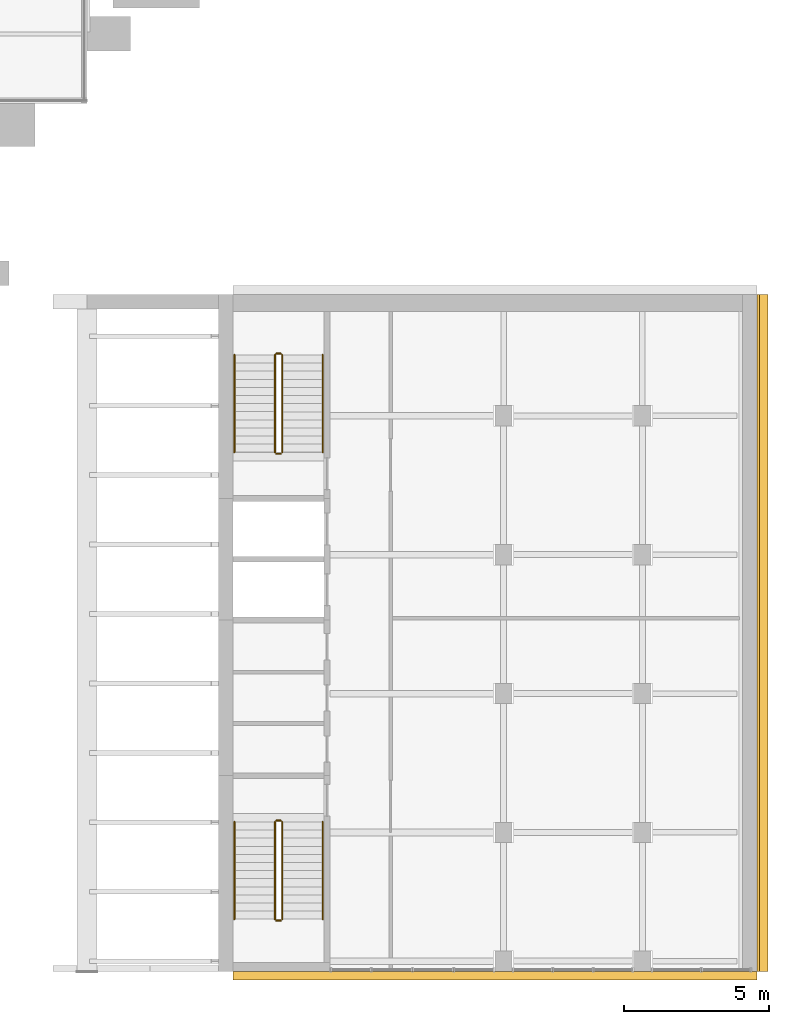
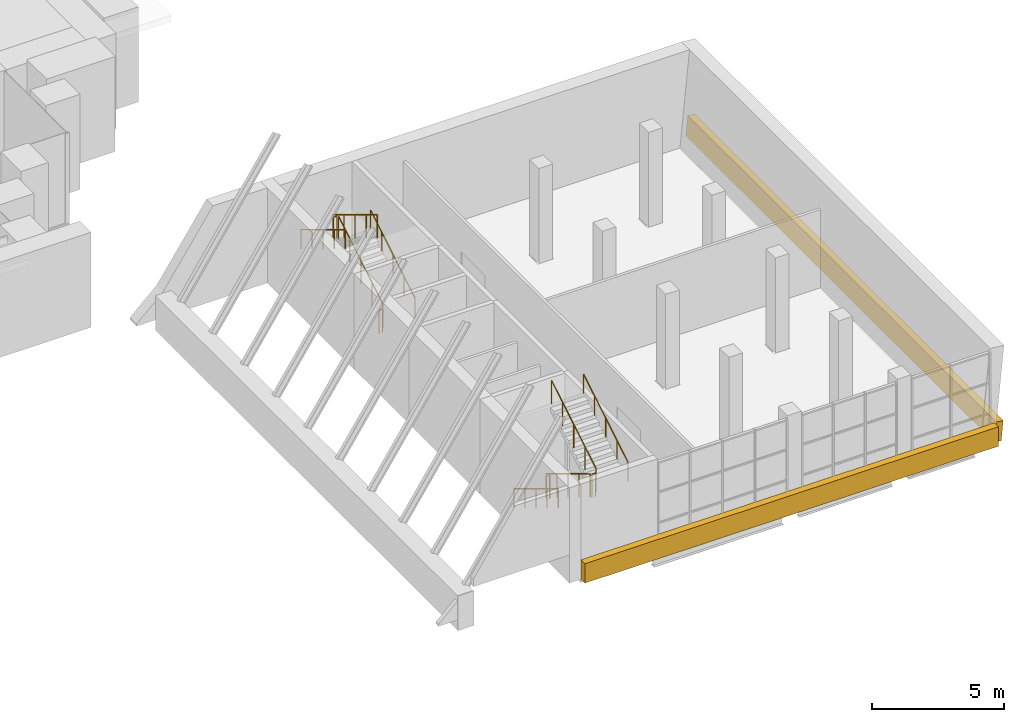
# One storey, part 31 of 32: 12 railings, 2 coverings.
"""IFC4 building model written with IfcOpenShell, lengths in metres."""

from ifc_helpers import new_model, si_unit, direction, frame, origin, origin_2d, place, context, subcontext, project, spatial, polyline, circle, outline, extrude, material, layer, layer_set, type_object, element, save


model = new_model("IFC4")

# Units and contexts
model_context = context("Model", 3, precision=1e-05, world=origin(), true_north=direction((0.0, 1.0)))
body_context = subcontext(model_context, "Body", "Model", "MODEL_VIEW")
ifc_project = project(units=[si_unit("LENGTHUNIT", "METRE"), si_unit("AREAUNIT", "SQUARE_METRE"), si_unit("VOLUMEUNIT", "CUBIC_METRE"), si_unit("PLANEANGLEUNIT", "RADIAN"), si_unit("MASSUNIT", "GRAM", prefix="KILO")], contexts=[model_context])

# Site, building, storey
site_placement = place(None, origin())
site = spatial("IfcSite", under=ifc_project, at=site_placement, CompositionType="ELEMENT")
building_placement = place(site_placement, origin())
building = spatial("IfcBuilding", under=site, at=building_placement, Name="Baori Bourse Tower", CompositionType="ELEMENT")
storey_placement = place(building_placement, frame((0.0, 0.0, 21.39990234375)))
storey = spatial("IfcBuildingStorey", under=building, at=storey_placement, Name="L03", CompositionType="ELEMENT", Elevation=21.39990234375)

# Coverings
ifc_material_1 = material(Name="Pale anodised aluminium", Category="aluminium")
ifc_layer = layer(ifc_material_1, 0.300048828125)
ifc_layer_set = layer_set([ifc_layer], Name="Pale metal band 900x300")
covering_type = type_object("IfcCoveringType", Name="Pale metal band 900x300", PredefinedType="CLADDING", material=ifc_layer_set)
covering_1_placement = place(storey_placement, origin())
element("IfcCovering", 1, at=covering_1_placement, inside=storey, type_object=covering_type, Name="BAND", PredefinedType="CLADDING", context=body_context, shape_type="SweptSolid", body=[
    extrude(outline(polyline([(75.95263671875, -25.199951171875), (57.85009765625, -25.199951171875), (57.85009765625, -25.5), (75.95263671875, -25.5), (75.95263671875, -25.199951171875)])), origin(), (0.0, 0.0, 1.0), 0.900146484375),
])
covering_2_placement = place(storey_placement, frame((75.95263671875, -25.199951171875, 0.0), z_axis=(-0.995396654785, 0.0, 0.095841012327), x_axis=(0.0, 1.0, 0.0)))
element("IfcCovering", 2, at=covering_2_placement, inside=storey, type_object=covering_type, Name="BAND", PredefinedType="CLADDING", context=body_context, shape_type="SweptSolid", body=[
    extrude(outline(polyline([(0.0, 0.0), (23.39990234375, 0.0), (23.39990234375, -0.9043093324136883), (0.0, -0.9043093324136883), (0.0, 0.0)])), origin(), (0.0, 0.0, -1.0), 0.300048828125),
])

# Railings
ifc_material_2 = material(Name="Stainless steel AISI 316", Category="steel")
railing_type_1 = type_object("IfcRailingType", Name="Wing guard 1100", PredefinedType="GUARDRAIL", material=ifc_material_2)
railing_1_placement = place(storey_placement, frame((59.550048828125, -7.260009765625, 0.16943359375)))
element("IfcRailing", 3, at=railing_1_placement, inside=storey, type_object=railing_type_1, Name="L03 E-STA stair guard 1", PredefinedType="GUARDRAIL", context=body_context, shape_type="SweptSolid", body=[
    extrude(circle(Radius=0.02392578125, at=origin_2d()), frame((0.0, 0.0, 1.076171875), z_axis=(0.0, 0.855836976705, 0.517245656632), x_axis=(-1.0, 0.0, 0.0)), (0.0, 0.0, 1.0), 3.926025390625),
    extrude(circle(Radius=0.02099609375, at=origin_2d()), origin(), (0.0, 0.0, 1.0), 1.052001953125),
    extrude(circle(Radius=0.02099609375, at=origin_2d()), frame((0.0, 0.840087890625, 0.5078125)), (0.0, 0.0, 1.0), 1.052001953125),
    extrude(circle(Radius=0.02099609375, at=origin_2d()), frame((0.0, 1.68017578125, 1.015380859375)), (0.0, 0.0, 1.0), 1.052001953125),
    extrude(circle(Radius=0.02099609375, at=origin_2d()), frame((0.0, 2.52001953125, 1.52294921875)), (0.0, 0.0, 1.0), 1.052001953125),
    extrude(circle(Radius=0.02099609375, at=origin_2d()), frame((0.0, 3.360107421875, 2.03076171875)), (0.0, 0.0, 1.0), 1.052001953125),
])
railing_2_placement = place(storey_placement, frame((59.5, -3.85009765625, 2.2001953125)))
element("IfcRailing", 4, at=railing_2_placement, inside=storey, type_object=railing_type_1, Name="L03 E-STA stair guard 2", PredefinedType="GUARDRAIL", context=body_context, shape_type="SweptSolid", body=[
    extrude(circle(Radius=0.02392578125, at=origin_2d()), frame((0.0, 0.0, 1.076171875), z_axis=(-1.0, 0.0, 0.0), x_axis=(0.0, -1.0, 0.0)), (0.0, 0.0, 1.0), 0.14990234375),
    extrude(circle(Radius=0.02099609375, at=origin_2d()), origin(), (0.0, 0.0, 1.0), 1.052001953125),
    extrude(circle(Radius=0.02099609375, at=origin_2d()), frame((-0.14990234375, 0.0, 0.0)), (0.0, 0.0, 1.0), 1.052001953125),
])
railing_3_placement = place(storey_placement, frame((59.300048828125, -3.89990234375, 2.369384765625)))
element("IfcRailing", 5, at=railing_3_placement, inside=storey, type_object=railing_type_1, Name="L03 E-STA stair guard 3", PredefinedType="GUARDRAIL", context=body_context, shape_type="SweptSolid", body=[
    extrude(circle(Radius=0.02392578125, at=origin_2d()), frame((0.0, 0.0, 1.076171875), z_axis=(0.0, -0.855836976705, 0.517245656632), x_axis=(1.0, 0.0, 0.0)), (0.0, 0.0, 1.0), 3.926025390625),
    extrude(circle(Radius=0.02099609375, at=origin_2d()), origin(), (0.0, 0.0, 1.0), 1.052001953125),
    extrude(circle(Radius=0.02099609375, at=origin_2d()), frame((0.0, -0.840087890625, 0.5078125)), (0.0, 0.0, 1.0), 1.052001953125),
    extrude(circle(Radius=0.02099609375, at=origin_2d()), frame((0.0, -1.68017578125, 1.015380859375)), (0.0, 0.0, 1.0), 1.052001953125),
    extrude(circle(Radius=0.02099609375, at=origin_2d()), frame((0.0, -2.52001953125, 1.52294921875)), (0.0, 0.0, 1.0), 1.052001953125),
    extrude(circle(Radius=0.02099609375, at=origin_2d()), frame((0.0, -3.360107421875, 2.03076171875)), (0.0, 0.0, 1.0), 1.052001953125),
])
railing_4_placement = place(storey_placement, frame((59.5, -7.31005859375, 0.0)))
element("IfcRailing", 6, at=railing_4_placement, inside=storey, type_object=railing_type_1, Name="L03 E-STA stair guard 4", PredefinedType="GUARDRAIL", context=body_context, shape_type="SweptSolid", body=[
    extrude(circle(Radius=0.02392578125, at=origin_2d()), frame((0.0, 0.0, 1.076171875), z_axis=(-1.0, 0.0, 0.0), x_axis=(0.0, -1.0, 0.0)), (0.0, 0.0, 1.0), 0.14990234375),
    extrude(circle(Radius=0.02099609375, at=origin_2d()), origin(), (0.0, 0.0, 1.0), 1.052001953125),
    extrude(circle(Radius=0.02099609375, at=origin_2d()), frame((-0.14990234375, 0.0, 0.0)), (0.0, 0.0, 1.0), 1.052001953125),
])
railing_5_placement = place(storey_placement, frame((59.300048828125, -20.0400390625, 0.16943359375)))
element("IfcRailing", 7, at=railing_5_placement, inside=storey, type_object=railing_type_1, Name="L03 E-STB stair guard 1", PredefinedType="GUARDRAIL", context=body_context, shape_type="SweptSolid", body=[
    extrude(circle(Radius=0.02392578125, at=origin_2d()), frame((0.0, 0.0, 1.076171875), z_axis=(0.0, -0.855820338506, 0.51727318527), x_axis=(1.0, 0.0, 0.0)), (0.0, 0.0, 1.0), 3.92578125),
    extrude(circle(Radius=0.02099609375, at=origin_2d()), origin(), (0.0, 0.0, 1.0), 1.052001953125),
    extrude(circle(Radius=0.02099609375, at=origin_2d()), frame((0.0, -0.83984375, 0.5078125)), (0.0, 0.0, 1.0), 1.052001953125),
    extrude(circle(Radius=0.02099609375, at=origin_2d()), frame((0.0, -1.679931640625, 1.015380859375)), (0.0, 0.0, 1.0), 1.052001953125),
    extrude(circle(Radius=0.02099609375, at=origin_2d()), frame((0.0, -2.52001953125, 1.52294921875)), (0.0, 0.0, 1.0), 1.052001953125),
    extrude(circle(Radius=0.02099609375, at=origin_2d()), frame((0.0, -3.35986328125, 2.03076171875)), (0.0, 0.0, 1.0), 1.052001953125),
])
railing_6_placement = place(storey_placement, frame((59.35009765625, -23.449951171875, 2.2001953125)))
element("IfcRailing", 8, at=railing_6_placement, inside=storey, type_object=railing_type_1, Name="L03 E-STB stair guard 2", PredefinedType="GUARDRAIL", context=body_context, shape_type="SweptSolid", body=[
    extrude(circle(Radius=0.02392578125, at=origin_2d()), frame((0.0, 0.0, 1.076171875), z_axis=(1.0, 0.0, 0.0), x_axis=(0.0, 1.0, 0.0)), (0.0, 0.0, 1.0), 0.14990234375),
    extrude(circle(Radius=0.02099609375, at=origin_2d()), origin(), (0.0, 0.0, 1.0), 1.052001953125),
    extrude(circle(Radius=0.02099609375, at=origin_2d()), frame((0.14990234375, 0.0, 0.0)), (0.0, 0.0, 1.0), 1.052001953125),
])
railing_7_placement = place(storey_placement, frame((59.550048828125, -23.39990234375, 2.369384765625)))
element("IfcRailing", 9, at=railing_7_placement, inside=storey, type_object=railing_type_1, Name="L03 E-STB stair guard 3", PredefinedType="GUARDRAIL", context=body_context, shape_type="SweptSolid", body=[
    extrude(circle(Radius=0.02392578125, at=origin_2d()), frame((0.0, 0.0, 1.076171875), z_axis=(0.0, 0.855820338506, 0.51727318527), x_axis=(-1.0, 0.0, 0.0)), (0.0, 0.0, 1.0), 3.92578125),
    extrude(circle(Radius=0.02099609375, at=origin_2d()), origin(), (0.0, 0.0, 1.0), 1.052001953125),
    extrude(circle(Radius=0.02099609375, at=origin_2d()), frame((0.0, 0.83984375, 0.5078125)), (0.0, 0.0, 1.0), 1.052001953125),
    extrude(circle(Radius=0.02099609375, at=origin_2d()), frame((0.0, 1.679931640625, 1.015380859375)), (0.0, 0.0, 1.0), 1.052001953125),
    extrude(circle(Radius=0.02099609375, at=origin_2d()), frame((0.0, 2.52001953125, 1.52294921875)), (0.0, 0.0, 1.0), 1.052001953125),
    extrude(circle(Radius=0.02099609375, at=origin_2d()), frame((0.0, 3.35986328125, 2.03076171875)), (0.0, 0.0, 1.0), 1.052001953125),
])
railing_8_placement = place(storey_placement, frame((59.35009765625, -19.989990234375, 0.0)))
element("IfcRailing", 10, at=railing_8_placement, inside=storey, type_object=railing_type_1, Name="L03 E-STB stair guard 4", PredefinedType="GUARDRAIL", context=body_context, shape_type="SweptSolid", body=[
    extrude(circle(Radius=0.02392578125, at=origin_2d()), frame((0.0, 0.0, 1.076171875), z_axis=(1.0, 0.0, 0.0), x_axis=(0.0, 1.0, 0.0)), (0.0, 0.0, 1.0), 0.14990234375),
    extrude(circle(Radius=0.02099609375, at=origin_2d()), origin(), (0.0, 0.0, 1.0), 1.052001953125),
    extrude(circle(Radius=0.02099609375, at=origin_2d()), frame((0.14990234375, 0.0, 0.0)), (0.0, 0.0, 1.0), 1.052001953125),
])
ifc_material_3 = material(Name="Stainless steel AISI 316", Category="steel")
railing_type_2 = type_object("IfcRailingType", Name="Wing handrail 900", PredefinedType="HANDRAIL", material=ifc_material_3)
railing_9_placement = place(storey_placement, frame((60.949951171875, -7.260009765625, 0.16943359375)))
element("IfcRailing", 11, at=railing_9_placement, inside=storey, type_object=railing_type_2, Name="L03 E-STA stair handrail 1", PredefinedType="HANDRAIL", context=body_context, shape_type="SweptSolid", body=[
    extrude(circle(Radius=0.02392578125, at=origin_2d()), frame((0.0, 0.0, 0.8759765625), z_axis=(0.0, 0.855836976705, 0.517245656632), x_axis=(-1.0, 0.0, 0.0)), (0.0, 0.0, 1.0), 3.926025390625),
    extrude(circle(Radius=0.02099609375, at=origin_2d()), origin(), (0.0, 0.0, 1.0), 0.851806640625),
    extrude(circle(Radius=0.02099609375, at=origin_2d()), frame((0.0, 0.840087890625, 0.5078125)), (0.0, 0.0, 1.0), 0.851806640625),
    extrude(circle(Radius=0.02099609375, at=origin_2d()), frame((0.0, 1.68017578125, 1.015380859375)), (0.0, 0.0, 1.0), 0.851806640625),
    extrude(circle(Radius=0.02099609375, at=origin_2d()), frame((0.0, 2.52001953125, 1.52294921875)), (0.0, 0.0, 1.0), 0.851806640625),
    extrude(circle(Radius=0.02099609375, at=origin_2d()), frame((0.0, 3.360107421875, 2.03076171875)), (0.0, 0.0, 1.0), 0.851806640625),
])
railing_10_placement = place(storey_placement, frame((57.89990234375, -3.89990234375, 2.369384765625)))
element("IfcRailing", 12, at=railing_10_placement, inside=storey, type_object=railing_type_2, Name="L03 E-STA stair handrail 2", PredefinedType="HANDRAIL", context=body_context, shape_type="SweptSolid", body=[
    extrude(circle(Radius=0.02392578125, at=origin_2d()), frame((0.0, 0.0, 0.8759765625), z_axis=(0.0, -0.855836976705, 0.517245656632), x_axis=(1.0, 0.0, 0.0)), (0.0, 0.0, 1.0), 3.926025390625),
    extrude(circle(Radius=0.02099609375, at=origin_2d()), origin(), (0.0, 0.0, 1.0), 0.851806640625),
    extrude(circle(Radius=0.02099609375, at=origin_2d()), frame((0.0, -0.840087890625, 0.5078125)), (0.0, 0.0, 1.0), 0.851806640625),
    extrude(circle(Radius=0.02099609375, at=origin_2d()), frame((0.0, -1.68017578125, 1.015380859375)), (0.0, 0.0, 1.0), 0.851806640625),
    extrude(circle(Radius=0.02099609375, at=origin_2d()), frame((0.0, -2.52001953125, 1.52294921875)), (0.0, 0.0, 1.0), 0.851806640625),
    extrude(circle(Radius=0.02099609375, at=origin_2d()), frame((0.0, -3.360107421875, 2.03076171875)), (0.0, 0.0, 1.0), 0.851806640625),
])
railing_11_placement = place(storey_placement, frame((57.89990234375, -20.0400390625, 0.16943359375)))
element("IfcRailing", 13, at=railing_11_placement, inside=storey, type_object=railing_type_2, Name="L03 E-STB stair handrail 1", PredefinedType="HANDRAIL", context=body_context, shape_type="SweptSolid", body=[
    extrude(circle(Radius=0.02392578125, at=origin_2d()), frame((0.0, 0.0, 0.8759765625), z_axis=(0.0, -0.855820338506, 0.51727318527), x_axis=(1.0, 0.0, 0.0)), (0.0, 0.0, 1.0), 3.92578125),
    extrude(circle(Radius=0.02099609375, at=origin_2d()), origin(), (0.0, 0.0, 1.0), 0.851806640625),
    extrude(circle(Radius=0.02099609375, at=origin_2d()), frame((0.0, -0.83984375, 0.5078125)), (0.0, 0.0, 1.0), 0.851806640625),
    extrude(circle(Radius=0.02099609375, at=origin_2d()), frame((0.0, -1.679931640625, 1.015380859375)), (0.0, 0.0, 1.0), 0.851806640625),
    extrude(circle(Radius=0.02099609375, at=origin_2d()), frame((0.0, -2.52001953125, 1.52294921875)), (0.0, 0.0, 1.0), 0.851806640625),
    extrude(circle(Radius=0.02099609375, at=origin_2d()), frame((0.0, -3.35986328125, 2.03076171875)), (0.0, 0.0, 1.0), 0.851806640625),
])
railing_12_placement = place(storey_placement, frame((60.949951171875, -23.39990234375, 2.369384765625)))
element("IfcRailing", 14, at=railing_12_placement, inside=storey, type_object=railing_type_2, Name="L03 E-STB stair handrail 2", PredefinedType="HANDRAIL", context=body_context, shape_type="SweptSolid", body=[
    extrude(circle(Radius=0.02392578125, at=origin_2d()), frame((0.0, 0.0, 0.8759765625), z_axis=(0.0, 0.855820338506, 0.51727318527), x_axis=(-1.0, 0.0, 0.0)), (0.0, 0.0, 1.0), 3.92578125),
    extrude(circle(Radius=0.02099609375, at=origin_2d()), origin(), (0.0, 0.0, 1.0), 0.851806640625),
    extrude(circle(Radius=0.02099609375, at=origin_2d()), frame((0.0, 0.83984375, 0.5078125)), (0.0, 0.0, 1.0), 0.851806640625),
    extrude(circle(Radius=0.02099609375, at=origin_2d()), frame((0.0, 1.679931640625, 1.015380859375)), (0.0, 0.0, 1.0), 0.851806640625),
    extrude(circle(Radius=0.02099609375, at=origin_2d()), frame((0.0, 2.52001953125, 1.52294921875)), (0.0, 0.0, 1.0), 0.851806640625),
    extrude(circle(Radius=0.02099609375, at=origin_2d()), frame((0.0, 3.35986328125, 2.03076171875)), (0.0, 0.0, 1.0), 0.851806640625),
])

save(model, "model.ifc")
